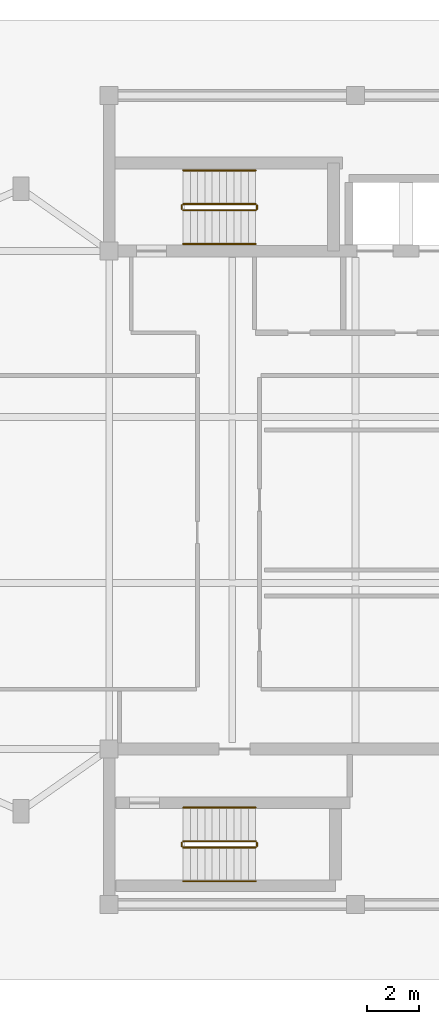
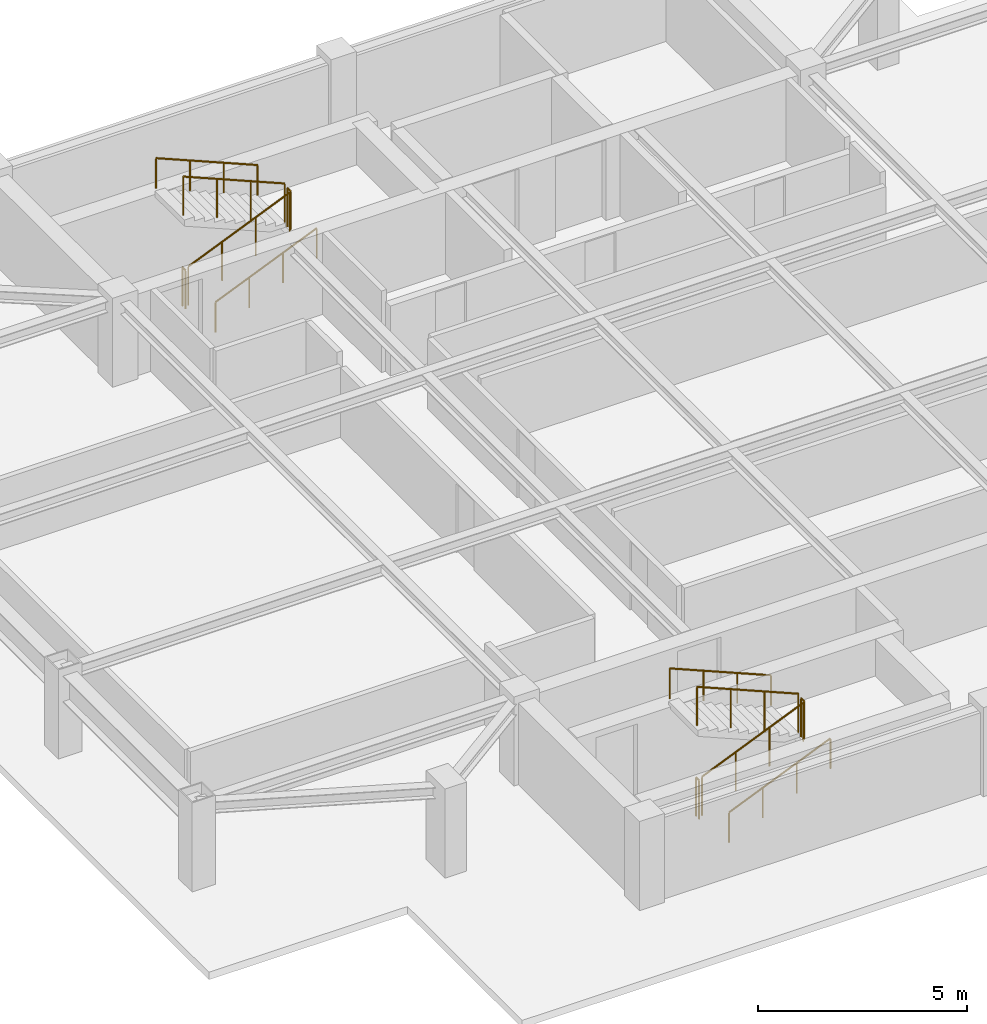
# One storey, part 4 of 4: 12 railings.
"""IFC4 building model written with IfcOpenShell, lengths in metres."""

from ifc_helpers import new_model, si_unit, direction, frame, origin, origin_2d, place, context, subcontext, project, spatial, circle, extrude, material, type_object, element, save


model = new_model("IFC4")

# Units and contexts
model_context = context("Model", 3, precision=1e-05, world=origin(), true_north=direction((0.0, 1.0)))
body_context = subcontext(model_context, "Body", "Model", "MODEL_VIEW")
ifc_project = project(units=[si_unit("LENGTHUNIT", "METRE"), si_unit("AREAUNIT", "SQUARE_METRE"), si_unit("VOLUMEUNIT", "CUBIC_METRE"), si_unit("PLANEANGLEUNIT", "RADIAN"), si_unit("MASSUNIT", "GRAM", prefix="KILO")], contexts=[model_context])

# Site, building, storey
site_placement = place(None, origin())
site = spatial("IfcSite", under=ifc_project, at=site_placement, CompositionType="ELEMENT")
building_placement = place(site_placement, origin())
building = spatial("IfcBuilding", under=site, at=building_placement, Name="Mirazonda Arch Towers", CompositionType="ELEMENT")
storey_placement = place(building_placement, frame((0.0, 0.0, 271.300048828125)))
storey = spatial("IfcBuildingStorey", under=building, at=storey_placement, Name="L78", CompositionType="ELEMENT", Elevation=271.300048828125)

# Railings
ifc_material = material(Name="Architectural Brushed Steel S355", Category="steel")
railing_type_1 = type_object("IfcRailingType", Name="GUARD-STAIR-1120", PredefinedType="GUARDRAIL", material=ifc_material)
railing_1_placement = place(storey_placement, frame((13.85009765625, 39.169921875, 0.1181640625)))
element("IfcRailing", 1, at=railing_1_placement, inside=storey, type_object=railing_type_1, Name="L78 ST-T1N stair guard 1", PredefinedType="GUARDRAIL", context=body_context, shape_type="SweptSolid", body=[
    extrude(circle(Radius=0.02392578125, at=origin_2d()), frame((0.0, 0.0, 1.1259765625), z_axis=(0.921279625293, 0.0, 0.388900825431), x_axis=(0.0, 1.0, 0.0)), (0.0, 0.0, 1.0), 3.0390625),
    extrude(circle(Radius=0.02099609375, at=origin_2d()), origin(), (0.0, 0.0, 1.0), 1.101806640625),
    extrude(circle(Radius=0.02099609375, at=origin_2d()), frame((0.933349609375, 0.0, 0.39404296875)), (0.0, 0.0, 1.0), 1.101806640625),
    extrude(circle(Radius=0.02099609375, at=origin_2d()), frame((1.866455078125, 0.0, 0.787841796875)), (0.0, 0.0, 1.0), 1.101806640625),
    extrude(circle(Radius=0.02099609375, at=origin_2d()), frame((2.7998046875, 0.0, 1.181884765625)), (0.0, 0.0, 1.0), 1.101806640625),
])
railing_2_placement = place(storey_placement, frame((16.699951171875, 39.219970703125, 1.300048828125)))
element("IfcRailing", 2, at=railing_2_placement, inside=storey, type_object=railing_type_1, Name="L78 ST-T1N stair guard 2", PredefinedType="GUARDRAIL", context=body_context, shape_type="SweptSolid", body=[
    extrude(circle(Radius=0.02392578125, at=origin_2d()), frame((0.0, 0.0, 1.1259765625), z_axis=(0.0, 1.0, 0.0), x_axis=(-1.0, 0.0, 0.0)), (0.0, 0.0, 1.0), 0.14013671875),
    extrude(circle(Radius=0.02099609375, at=origin_2d()), origin(), (0.0, 0.0, 1.0), 1.101806640625),
    extrude(circle(Radius=0.02099609375, at=origin_2d()), frame((0.0, 0.14013671875, 0.0)), (0.0, 0.0, 1.0), 1.101806640625),
])
railing_3_placement = place(storey_placement, frame((16.64990234375, 39.409912109375, 1.418212890625)))
element("IfcRailing", 3, at=railing_3_placement, inside=storey, type_object=railing_type_1, Name="L78 ST-T1N stair guard 3", PredefinedType="GUARDRAIL", context=body_context, shape_type="SweptSolid", body=[
    extrude(circle(Radius=0.02392578125, at=origin_2d()), frame((0.0, 0.0, 1.1259765625), z_axis=(-0.92130840654, 0.0, 0.38883263757), x_axis=(0.0, -1.0, 0.0)), (0.0, 0.0, 1.0), 3.0390625),
    extrude(circle(Radius=0.02099609375, at=origin_2d()), origin(), (0.0, 0.0, 1.0), 1.101806640625),
    extrude(circle(Radius=0.02099609375, at=origin_2d()), frame((-0.933349609375, 0.0, 0.393798828125)), (0.0, 0.0, 1.0), 1.101806640625),
    extrude(circle(Radius=0.02099609375, at=origin_2d()), frame((-1.866455078125, 0.0, 0.787841796875)), (0.0, 0.0, 1.0), 1.101806640625),
    extrude(circle(Radius=0.02099609375, at=origin_2d()), frame((-2.7998046875, 0.0, 1.181640625)), (0.0, 0.0, 1.0), 1.101806640625),
])
railing_4_placement = place(storey_placement, frame((13.800048828125, 39.219970703125, 0.0)))
element("IfcRailing", 4, at=railing_4_placement, inside=storey, type_object=railing_type_1, Name="L78 ST-T1N stair guard 4", PredefinedType="GUARDRAIL", context=body_context, shape_type="SweptSolid", body=[
    extrude(circle(Radius=0.02392578125, at=origin_2d()), frame((0.0, 0.0, 1.1259765625), z_axis=(0.0, 1.0, 0.0), x_axis=(-1.0, 0.0, 0.0)), (0.0, 0.0, 1.0), 0.14013671875),
    extrude(circle(Radius=0.02099609375, at=origin_2d()), origin(), (0.0, 0.0, 1.0), 1.101806640625),
    extrude(circle(Radius=0.02099609375, at=origin_2d()), frame((0.0, 0.14013671875, 0.0)), (0.0, 0.0, 1.0), 1.101806640625),
])
railing_5_placement = place(storey_placement, frame((13.85009765625, 14.60009765625, 0.1181640625)))
element("IfcRailing", 5, at=railing_5_placement, inside=storey, type_object=railing_type_1, Name="L78 ST-T1S stair guard 1", PredefinedType="GUARDRAIL", context=body_context, shape_type="SweptSolid", body=[
    extrude(circle(Radius=0.02392578125, at=origin_2d()), frame((0.0, 0.0, 1.1259765625), z_axis=(0.921279625293, 0.0, 0.388900825431), x_axis=(0.0, 1.0, 0.0)), (0.0, 0.0, 1.0), 3.0390625),
    extrude(circle(Radius=0.02099609375, at=origin_2d()), origin(), (0.0, 0.0, 1.0), 1.101806640625),
    extrude(circle(Radius=0.02099609375, at=origin_2d()), frame((0.933349609375, 0.0, 0.39404296875)), (0.0, 0.0, 1.0), 1.101806640625),
    extrude(circle(Radius=0.02099609375, at=origin_2d()), frame((1.866455078125, 0.0, 0.787841796875)), (0.0, 0.0, 1.0), 1.101806640625),
    extrude(circle(Radius=0.02099609375, at=origin_2d()), frame((2.7998046875, 0.0, 1.181884765625)), (0.0, 0.0, 1.0), 1.101806640625),
])
railing_6_placement = place(storey_placement, frame((16.699951171875, 14.64990234375, 1.300048828125)))
element("IfcRailing", 6, at=railing_6_placement, inside=storey, type_object=railing_type_1, Name="L78 ST-T1S stair guard 2", PredefinedType="GUARDRAIL", context=body_context, shape_type="SweptSolid", body=[
    extrude(circle(Radius=0.02392578125, at=origin_2d()), frame((0.0, 0.0, 1.1259765625), z_axis=(0.0, 1.0, 0.0), x_axis=(-1.0, 0.0, 0.0)), (0.0, 0.0, 1.0), 0.14013671875),
    extrude(circle(Radius=0.02099609375, at=origin_2d()), origin(), (0.0, 0.0, 1.0), 1.101806640625),
    extrude(circle(Radius=0.02099609375, at=origin_2d()), frame((0.0, 0.14013671875, 0.0)), (0.0, 0.0, 1.0), 1.101806640625),
])
railing_7_placement = place(storey_placement, frame((16.64990234375, 14.840087890625, 1.418212890625)))
element("IfcRailing", 7, at=railing_7_placement, inside=storey, type_object=railing_type_1, Name="L78 ST-T1S stair guard 3", PredefinedType="GUARDRAIL", context=body_context, shape_type="SweptSolid", body=[
    extrude(circle(Radius=0.02392578125, at=origin_2d()), frame((0.0, 0.0, 1.1259765625), z_axis=(-0.92130840654, 0.0, 0.38883263757), x_axis=(0.0, -1.0, 0.0)), (0.0, 0.0, 1.0), 3.0390625),
    extrude(circle(Radius=0.02099609375, at=origin_2d()), origin(), (0.0, 0.0, 1.0), 1.101806640625),
    extrude(circle(Radius=0.02099609375, at=origin_2d()), frame((-0.933349609375, 0.0, 0.393798828125)), (0.0, 0.0, 1.0), 1.101806640625),
    extrude(circle(Radius=0.02099609375, at=origin_2d()), frame((-1.866455078125, 0.0, 0.787841796875)), (0.0, 0.0, 1.0), 1.101806640625),
    extrude(circle(Radius=0.02099609375, at=origin_2d()), frame((-2.7998046875, 0.0, 1.181640625)), (0.0, 0.0, 1.0), 1.101806640625),
])
railing_8_placement = place(storey_placement, frame((13.800048828125, 14.64990234375, 0.0)))
element("IfcRailing", 8, at=railing_8_placement, inside=storey, type_object=railing_type_1, Name="L78 ST-T1S stair guard 4", PredefinedType="GUARDRAIL", context=body_context, shape_type="SweptSolid", body=[
    extrude(circle(Radius=0.02392578125, at=origin_2d()), frame((0.0, 0.0, 1.1259765625), z_axis=(0.0, 1.0, 0.0), x_axis=(-1.0, 0.0, 0.0)), (0.0, 0.0, 1.0), 0.14013671875),
    extrude(circle(Radius=0.02099609375, at=origin_2d()), origin(), (0.0, 0.0, 1.0), 1.101806640625),
    extrude(circle(Radius=0.02099609375, at=origin_2d()), frame((0.0, 0.14013671875, 0.0)), (0.0, 0.0, 1.0), 1.101806640625),
])
railing_type_2 = type_object("IfcRailingType", Name="HANDRAIL-915", PredefinedType="HANDRAIL", material=ifc_material)
railing_9_placement = place(storey_placement, frame((13.85009765625, 37.8701171875, 0.1181640625)))
element("IfcRailing", 9, at=railing_9_placement, inside=storey, type_object=railing_type_2, Name="L78 ST-T1N stair handrail 1", PredefinedType="HANDRAIL", context=body_context, shape_type="SweptSolid", body=[
    extrude(circle(Radius=0.02392578125, at=origin_2d()), frame((0.0, 0.0, 0.8759765625), z_axis=(0.921279625293, 0.0, 0.388900825431), x_axis=(0.0, 1.0, 0.0)), (0.0, 0.0, 1.0), 3.0390625),
    extrude(circle(Radius=0.02099609375, at=origin_2d()), origin(), (0.0, 0.0, 1.0), 0.851806640625),
    extrude(circle(Radius=0.02099609375, at=origin_2d()), frame((0.933349609375, 0.0, 0.39404296875)), (0.0, 0.0, 1.0), 0.851806640625),
    extrude(circle(Radius=0.02099609375, at=origin_2d()), frame((1.866455078125, 0.0, 0.787841796875)), (0.0, 0.0, 1.0), 0.851806640625),
    extrude(circle(Radius=0.02099609375, at=origin_2d()), frame((2.7998046875, 0.0, 1.181884765625)), (0.0, 0.0, 1.0), 0.851806640625),
])
railing_10_placement = place(storey_placement, frame((16.64990234375, 40.7099609375, 1.418212890625)))
element("IfcRailing", 10, at=railing_10_placement, inside=storey, type_object=railing_type_2, Name="L78 ST-T1N stair handrail 2", PredefinedType="HANDRAIL", context=body_context, shape_type="SweptSolid", body=[
    extrude(circle(Radius=0.02392578125, at=origin_2d()), frame((0.0, 0.0, 0.8759765625), z_axis=(-0.92130840654, 0.0, 0.38883263757), x_axis=(0.0, -1.0, 0.0)), (0.0, 0.0, 1.0), 3.0390625),
    extrude(circle(Radius=0.02099609375, at=origin_2d()), origin(), (0.0, 0.0, 1.0), 0.851806640625),
    extrude(circle(Radius=0.02099609375, at=origin_2d()), frame((-0.933349609375, 0.0, 0.393798828125)), (0.0, 0.0, 1.0), 0.851806640625),
    extrude(circle(Radius=0.02099609375, at=origin_2d()), frame((-1.866455078125, 0.0, 0.787841796875)), (0.0, 0.0, 1.0), 0.851806640625),
    extrude(circle(Radius=0.02099609375, at=origin_2d()), frame((-2.7998046875, 0.0, 1.181640625)), (0.0, 0.0, 1.0), 0.851806640625),
])
railing_11_placement = place(storey_placement, frame((13.85009765625, 13.300048828125, 0.1181640625)))
element("IfcRailing", 11, at=railing_11_placement, inside=storey, type_object=railing_type_2, Name="L78 ST-T1S stair handrail 1", PredefinedType="HANDRAIL", context=body_context, shape_type="SweptSolid", body=[
    extrude(circle(Radius=0.02392578125, at=origin_2d()), frame((0.0, 0.0, 0.8759765625), z_axis=(0.921279625293, 0.0, 0.388900825431), x_axis=(0.0, 1.0, 0.0)), (0.0, 0.0, 1.0), 3.0390625),
    extrude(circle(Radius=0.02099609375, at=origin_2d()), origin(), (0.0, 0.0, 1.0), 0.851806640625),
    extrude(circle(Radius=0.02099609375, at=origin_2d()), frame((0.933349609375, 0.0, 0.39404296875)), (0.0, 0.0, 1.0), 0.851806640625),
    extrude(circle(Radius=0.02099609375, at=origin_2d()), frame((1.866455078125, 0.0, 0.787841796875)), (0.0, 0.0, 1.0), 0.851806640625),
    extrude(circle(Radius=0.02099609375, at=origin_2d()), frame((2.7998046875, 0.0, 1.181884765625)), (0.0, 0.0, 1.0), 0.851806640625),
])
railing_12_placement = place(storey_placement, frame((16.64990234375, 16.139892578125, 1.418212890625)))
element("IfcRailing", 12, at=railing_12_placement, inside=storey, type_object=railing_type_2, Name="L78 ST-T1S stair handrail 2", PredefinedType="HANDRAIL", context=body_context, shape_type="SweptSolid", body=[
    extrude(circle(Radius=0.02392578125, at=origin_2d()), frame((0.0, 0.0, 0.8759765625), z_axis=(-0.92130840654, 0.0, 0.38883263757), x_axis=(0.0, -1.0, 0.0)), (0.0, 0.0, 1.0), 3.0390625),
    extrude(circle(Radius=0.02099609375, at=origin_2d()), origin(), (0.0, 0.0, 1.0), 0.851806640625),
    extrude(circle(Radius=0.02099609375, at=origin_2d()), frame((-0.933349609375, 0.0, 0.393798828125)), (0.0, 0.0, 1.0), 0.851806640625),
    extrude(circle(Radius=0.02099609375, at=origin_2d()), frame((-1.866455078125, 0.0, 0.787841796875)), (0.0, 0.0, 1.0), 0.851806640625),
    extrude(circle(Radius=0.02099609375, at=origin_2d()), frame((-2.7998046875, 0.0, 1.181640625)), (0.0, 0.0, 1.0), 0.851806640625),
])

save(model, "model.ifc")
